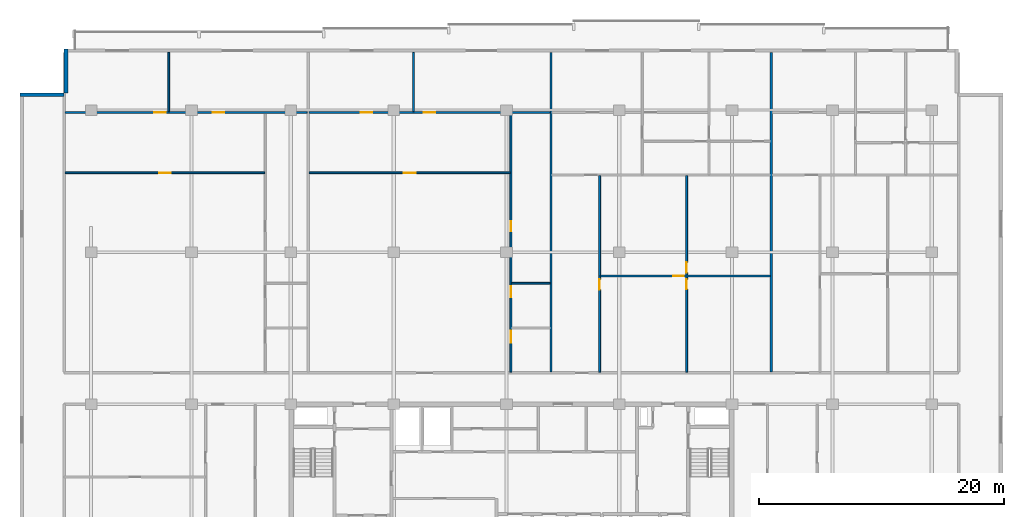
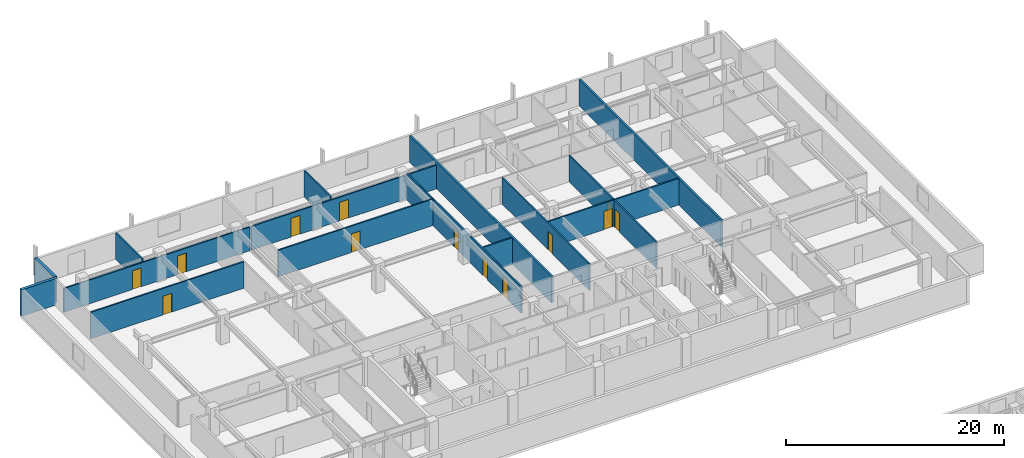
# One storey, part 13 of 21: 15 walls, 13 doors, 13 openings.
"""IFC4 building model written with IfcOpenShell, lengths in metres."""

from ifc_helpers import new_model, si_unit, direction, frame, frame_2d, origin, place, context, subcontext, project, spatial, rectangle, extrude, material, layer, layer_set, type_object, element, fill, save


model = new_model("IFC4")

# Units and contexts
model_context = context("Model", 3, precision=1e-05, world=origin(), true_north=direction((0.0, 1.0)))
body_context = subcontext(model_context, "Body", "Model", "MODEL_VIEW")
ifc_project = project(units=[si_unit("LENGTHUNIT", "METRE"), si_unit("AREAUNIT", "SQUARE_METRE"), si_unit("VOLUMEUNIT", "CUBIC_METRE"), si_unit("PLANEANGLEUNIT", "RADIAN"), si_unit("MASSUNIT", "GRAM", prefix="KILO")], contexts=[model_context])

# Site, building, storey
site_placement = place(None, origin())
site = spatial("IfcSite", under=ifc_project, at=site_placement, CompositionType="ELEMENT")
building_placement = place(site_placement, origin())
building = spatial("IfcBuilding", under=site, at=building_placement, Name="Korimba Cascade Residences", CompositionType="ELEMENT")
storey_placement = place(building_placement, frame((0.0, 0.0, 123.050048828125)))
storey = spatial("IfcBuildingStorey", under=building, at=storey_placement, Name="L35", CompositionType="ELEMENT", Elevation=123.050048828125)

# Walls
ifc_material_1 = material(Name="Precast concrete C40/50", Category="concrete")
ifc_layer_1 = layer(ifc_material_1, 0.300048828125)
ifc_layer_set_1 = layer_set([ifc_layer_1], Name="Precast concrete C40/50")
wall_type_1 = type_object("IfcWallType", Name="EW-STONE-300", PredefinedType="STANDARD", material=ifc_layer_set_1)
wall_1_placement = place(storey_placement, frame((57.75, 96.199951171875, 0.0), z_axis=(0.0, 0.0, 1.0), x_axis=(0.0, -1.0, 0.0)))
element("IfcWall", 1, at=wall_1_placement, inside=storey, type_object=wall_type_1, Name="L35 T1 Perimeter Stone Wall E07", PredefinedType="STANDARD", context=body_context, shape_type="SweptSolid", body=[
    extrude(rectangle(XDim=3.599853515625, YDim=0.300048828125, at=frame_2d((1.7998046875, 0.0))), origin(), (0.0, 0.0, 1.0), 2.969970703125),
])
wall_2_placement = place(storey_placement, frame((57.60009765625, 92.449951171875, 0.0), z_axis=(0.0, 0.0, 1.0), x_axis=(-1.0, 0.0, 0.0)))
element("IfcWall", 2, at=wall_2_placement, inside=storey, type_object=wall_type_1, Name="L35 T1 Perimeter Stone Wall E08", PredefinedType="STANDARD", context=body_context, shape_type="SweptSolid", body=[
    extrude(rectangle(XDim=3.60009765625, YDim=0.300048828125, at=frame_2d((1.800048828125, 0.0))), origin(), (0.0, 0.0, 1.0), 2.969970703125),
])
ifc_layer_2 = layer(ifc_material_1, 0.199951171875)
ifc_layer_set_2 = layer_set([ifc_layer_2], Name="Precast concrete C40/50")
wall_type_2 = type_object("IfcWallType", Name="WAL-IT-200", PredefinedType="PARTITIONING", material=ifc_layer_set_2)
for number, where, z_axis, x_axis, name in (
    (3, (97.33154296875, 69.830078125, 0.0), (0.0, 0.0, 1.0), (0.0, 1.0, 0.0), "L35 Partition Wall WAL-L35-T1-DEM-2"),
    (4, (115.321044921875, 69.830078125, 0.0), (0.0, 0.0, 1.0), (0.0, 1.0, 0.0), "L35 Partition Wall WAL-L35-T1-DEM-3"),
):
    element("IfcWall", number, at=place(storey_placement, frame(where, z_axis=z_axis, x_axis=x_axis)), inside=storey, type_object=wall_type_2, Name=name, PredefinedType="PARTITIONING", context=body_context, shape_type="SweptSolid", body=[
        extrude(rectangle(XDim=26.06982421875, YDim=0.199951171875, at=frame_2d((13.034912109375, 0.0))), origin(), (0.0, 0.0, 1.0), 2.969970703125),
    ])

# Wall, opening, door
ifc_material_2 = material(Name="Insulated Acoustic Stud Partition", Category="gypsum")
ifc_layer_3 = layer(ifc_material_2, 0.14990234375)
ifc_layer_set_3 = layer_set([ifc_layer_3], Name="Insulated Acoustic Stud Partition")
wall_type_3 = type_object("IfcWallType", Name="WAL-PART-150", PredefinedType="PARTITIONING", material=ifc_layer_set_3)
wall_3_placement = place(storey_placement, frame((57.679931640625, 86.080078125, 0.0), z_axis=(0.0, 0.0, 1.0), x_axis=(1.0, 0.0, 0.0)))
wall_3 = element("IfcWall", 5, at=wall_3_placement, inside=storey, type_object=wall_type_3, Name="L35 Partition Wall WAL-L35-T1-U01-CARH", PredefinedType="PARTITIONING", context=body_context, shape_type="SweptSolid", body=[
    extrude(rectangle(XDim=16.29052734375, YDim=0.14990234375, at=frame_2d((8.145263671875, 0.0))), origin(), (0.0, 0.0, 1.0), 2.969970703125),
])
opening_1_placement = place(wall_3_placement, frame((7.67529296875, 0.0, 0.0)))
opening_1 = element("IfcOpeningElement", 6, at=opening_1_placement, cuts=wall_3, Name="Opening D-IN0", PredefinedType="OPENING", context=body_context, shape_type="SweptSolid", body=[
    extrude(rectangle(XDim=0.93994140625, YDim=2.10009765625, at=frame_2d((0.469970703125, 1.050048828125))), frame((0.0, 0.0849609375, 0.0), z_axis=(0.0, -1.0, 0.0), x_axis=(1.0, 0.0, 0.0)), (0.0, 0.0, 1.0), 0.169921875),
])
ifc_material_3 = material(Name="Acoustic Timber Living Archway Door", Category="wood")
door_type_1 = type_object("IfcDoorType", Name="DR-INT-950", OperationType="NOTDEFINED", PredefinedType="DOOR", material=ifc_material_3)
door_1_placement = place(opening_1_placement, origin())
door_1 = element("IfcDoor", 7, at=door_1_placement, inside=storey, type_object=door_type_1, Name="L35-T1-U01 Wellness Clinic Foyer Door", OperationType="SINGLE_SWING_LEFT", OverallHeight=2.10009765625, OverallWidth=0.93994140625, PredefinedType="DOOR", context=body_context, shape_type="SweptSolid", body=[
    extrude(rectangle(XDim=0.93994140625, YDim=2.10009765625, at=frame_2d((0.469970703125, 1.050048828125))), frame((0.0, 0.02490234375, 0.0), z_axis=(0.0, -1.0, 0.0), x_axis=(1.0, 0.0, 0.0)), (0.0, 0.0, 1.0), 0.050048828125),
])
fill(opening_1, door_1)

# Wall
wall_4_placement = place(storey_placement, frame((66.13525390625, 91.080078125, 0.0), z_axis=(0.0, 0.0, 1.0), x_axis=(0.0, 1.0, 0.0)))
element("IfcWall", 8, at=wall_4_placement, inside=storey, type_object=wall_type_3, Name="L35 Partition Wall WAL-L35-T1-U01-OUTV", PredefinedType="PARTITIONING", context=body_context, shape_type="SweptSolid", body=[
    extrude(rectangle(XDim=4.81982421875, YDim=0.14990234375, at=frame_2d((2.409912109375, 0.0))), origin(), (0.0, 0.0, 1.0), 2.969970703125),
])

# Wall, openings, doors
wall_5_placement = place(storey_placement, frame((57.679931640625, 91.0, 0.0), z_axis=(0.0, 0.0, 1.0), x_axis=(1.0, 0.0, 0.0)))
wall_5 = element("IfcWall", 9, at=wall_5_placement, inside=storey, type_object=wall_type_3, Name="L35 Partition Wall WAL-L35-T1-U01-HZ", PredefinedType="PARTITIONING", context=body_context, shape_type="SweptSolid", body=[
    extrude(rectangle(XDim=19.75048828125, YDim=0.14990234375, at=frame_2d((9.875244140625, 0.0))), origin(), (0.0, 0.0, 1.0), 2.663330078125),
])
opening_2_placement = place(wall_5_placement, frame((7.26513671875, 0.0, 0.0)))
opening_2 = element("IfcOpeningElement", 10, at=opening_2_placement, cuts=wall_5, Name="Opening D-IN0", PredefinedType="OPENING", context=body_context, shape_type="SweptSolid", body=[
    extrude(rectangle(XDim=0.93994140625, YDim=2.10009765625, at=frame_2d((0.469970703125, 1.050048828125))), frame((0.0, 0.0849609375, 0.0), z_axis=(0.0, -1.0, 0.0), x_axis=(1.0, 0.0, 0.0)), (0.0, 0.0, 1.0), 0.169921875),
])
opening_3_placement = place(wall_5_placement, frame((12.051513671875, 0.0, 0.0)))
opening_3 = element("IfcOpeningElement", 11, at=opening_3_placement, cuts=wall_5, Name="Opening D-IN0", PredefinedType="OPENING", context=body_context, shape_type="SweptSolid", body=[
    extrude(rectangle(XDim=0.93994140625, YDim=2.10009765625, at=frame_2d((0.469970703125, 1.050048828125))), frame((0.0, 0.0849609375, 0.0), z_axis=(0.0, -1.0, 0.0), x_axis=(1.0, 0.0, 0.0)), (0.0, 0.0, 1.0), 0.169921875),
])
door_2_placement = place(opening_2_placement, origin())
door_2 = element("IfcDoor", 12, at=door_2_placement, inside=storey, type_object=door_type_1, Name="L35-T1-U01 Hydrotherapy Wellness Clinic Door", OperationType="SINGLE_SWING_LEFT", OverallHeight=2.10009765625, OverallWidth=0.93994140625, PredefinedType="DOOR", context=body_context, shape_type="SweptSolid", body=[
    extrude(rectangle(XDim=0.93994140625, YDim=2.10009765625, at=frame_2d((0.469970703125, 1.050048828125))), frame((0.0, 0.02490234375, 0.0), z_axis=(0.0, -1.0, 0.0), x_axis=(1.0, 0.0, 0.0)), (0.0, 0.0, 1.0), 0.050048828125),
])
fill(opening_2, door_2)
door_3_placement = place(opening_3_placement, origin())
door_3 = element("IfcDoor", 13, at=door_3_placement, inside=storey, type_object=door_type_1, Name="L35-T1-U01 Physiotherapy Treatment Room Door", OperationType="SINGLE_SWING_RIGHT", OverallHeight=2.10009765625, OverallWidth=0.93994140625, PredefinedType="DOOR", context=body_context, shape_type="SweptSolid", body=[
    extrude(rectangle(XDim=0.93994140625, YDim=2.10009765625, at=frame_2d((0.469970703125, 1.050048828125))), frame((0.0, 0.02490234375, 0.0), z_axis=(0.0, -1.0, 0.0), x_axis=(1.0, 0.0, 0.0)), (0.0, 0.0, 1.0), 0.050048828125),
])
fill(opening_3, door_3)

# Wall, opening, door
wall_6_placement = place(storey_placement, frame((77.590576171875, 86.080078125, 0.0), z_axis=(0.0, 0.0, 1.0), x_axis=(1.0, 0.0, 0.0)))
wall_6 = element("IfcWall", 14, at=wall_6_placement, inside=storey, type_object=wall_type_3, Name="L35 Partition Wall WAL-L35-T1-U02-CARH", PredefinedType="PARTITIONING", context=body_context, shape_type="SweptSolid", body=[
    extrude(rectangle(XDim=16.430908203125, YDim=0.14990234375, at=frame_2d((8.21533203125, 0.0))), origin(), (0.0, 0.0, 1.0), 2.969970703125),
])
opening_4_placement = place(wall_6_placement, frame((7.74560546875, 0.0, 0.0)))
opening_4 = element("IfcOpeningElement", 15, at=opening_4_placement, cuts=wall_6, Name="Opening D-IN0", PredefinedType="OPENING", context=body_context, shape_type="SweptSolid", body=[
    extrude(rectangle(XDim=0.93994140625, YDim=2.10009765625, at=frame_2d((0.469970703125, 1.050048828125))), frame((0.0, 0.0849609375, 0.0), z_axis=(0.0, -1.0, 0.0), x_axis=(1.0, 0.0, 0.0)), (0.0, 0.0, 1.0), 0.169921875),
])
door_4_placement = place(opening_4_placement, origin())
door_4 = element("IfcDoor", 16, at=door_4_placement, inside=storey, type_object=door_type_1, Name="L35-T1-U02 Wellness Clinic Foyer Door", OperationType="SINGLE_SWING_LEFT", OverallHeight=2.10009765625, OverallWidth=0.93994140625, PredefinedType="DOOR", context=body_context, shape_type="SweptSolid", body=[
    extrude(rectangle(XDim=0.93994140625, YDim=2.10009765625, at=frame_2d((0.469970703125, 1.050048828125))), frame((0.0, 0.02490234375, 0.0), z_axis=(0.0, -1.0, 0.0), x_axis=(1.0, 0.0, 0.0)), (0.0, 0.0, 1.0), 0.050048828125),
])
fill(opening_4, door_4)

# Wall
wall_7_placement = place(storey_placement, frame((94.12158203125, 77.070068359375, 0.0), z_axis=(0.0, 0.0, 1.0), x_axis=(1.0, 0.0, 0.0)))
element("IfcWall", 17, at=wall_7_placement, inside=storey, type_object=wall_type_3, Name="L35 Partition Wall WAL-L35-T1-U02-WCH2", PredefinedType="PARTITIONING", context=body_context, shape_type="SweptSolid", body=[
    extrude(rectangle(XDim=3.130126953125, YDim=0.14990234375, at=frame_2d((1.56494140625, 0.0))), origin(), (0.0, 0.0, 1.0), 2.969970703125),
])

# Wall, openings, doors
wall_8_placement = place(storey_placement, frame((94.0615234375, 69.81005859375, 0.0), z_axis=(0.0, 0.0, 1.0), x_axis=(0.0, 1.0, 0.0)))
wall_8 = element("IfcWall", 18, at=wall_8_placement, inside=storey, type_object=wall_type_3, Name="L35 Partition Wall WAL-L35-T1-U02-WCV", PredefinedType="PARTITIONING", context=body_context, shape_type="SweptSolid", body=[
    extrude(rectangle(XDim=21.1298828125, YDim=0.14990234375, at=frame_2d((10.56494140625, 0.0))), origin(), (0.0, 0.0, 1.0), 2.969970703125),
])
opening_5_placement = place(wall_8_placement, frame((2.406005859375, 0.0, 0.0)))
opening_5 = element("IfcOpeningElement", 19, at=opening_5_placement, cuts=wall_8, Name="Opening D-AC1", PredefinedType="OPENING", context=body_context, shape_type="SweptSolid", body=[
    extrude(rectangle(XDim=0.9599609375, YDim=2.10009765625, at=frame_2d((0.47998046875, 1.050048828125))), frame((0.0, 0.0849609375, 0.0), z_axis=(0.0, -1.0, 0.0), x_axis=(1.0, 0.0, 0.0)), (0.0, 0.0, 1.0), 0.169921875),
])
opening_6_placement = place(wall_8_placement, frame((6.132568359375, 0.0, 0.0)))
opening_6 = element("IfcOpeningElement", 20, at=opening_6_placement, cuts=wall_8, Name="Opening D-IN2", PredefinedType="OPENING", context=body_context, shape_type="SweptSolid", body=[
    extrude(rectangle(XDim=0.8798828125, YDim=2.06005859375, at=frame_2d((0.43994140625, 1.030029296875))), frame((0.0, 0.0849609375, 0.0), z_axis=(0.0, -1.0, 0.0), x_axis=(1.0, 0.0, 0.0)), (0.0, 0.0, 1.0), 0.169921875),
])
opening_7_placement = place(wall_8_placement, frame((11.482421875, 0.0, 0.0)))
opening_7 = element("IfcOpeningElement", 21, at=opening_7_placement, cuts=wall_8, Name="Opening D-BT1", PredefinedType="OPENING", context=body_context, shape_type="SweptSolid", body=[
    extrude(rectangle(XDim=0.840087890625, YDim=2.0400390625, at=frame_2d((0.419921875, 1.02001953125))), frame((0.0, 0.0849609375, 0.0), z_axis=(0.0, -1.0, 0.0), x_axis=(1.0, 0.0, 0.0)), (0.0, 0.0, 1.0), 0.169921875),
])
ifc_material_4 = material(Name="Accessible Acoustic Timber WC Door", Category="wood")
door_type_2 = type_object("IfcDoorType", Name="DR-ACC-950", OperationType="NOTDEFINED", PredefinedType="DOOR", material=ifc_material_4)
door_5_placement = place(opening_5_placement, origin())
door_5 = element("IfcDoor", 22, at=door_5_placement, inside=storey, type_object=door_type_2, Name="L35-T1-U02 Accessible WC Door", OperationType="SINGLE_SWING_RIGHT", OverallHeight=2.10009765625, OverallWidth=0.9599609375, PredefinedType="DOOR", context=body_context, shape_type="SweptSolid", body=[
    extrude(rectangle(XDim=0.9599609375, YDim=2.10009765625, at=frame_2d((0.47998046875, 1.050048828125))), frame((0.0, 0.02490234375, 0.0), z_axis=(0.0, -1.0, 0.0), x_axis=(1.0, 0.0, 0.0)), (0.0, 0.0, 1.0), 0.050048828125),
])
fill(opening_5, door_5)
ifc_material_5 = material(Name="Moisture-Resistant Bathroom Timber Door", Category="wood")
door_type_3 = type_object("IfcDoorType", Name="DR-INT-850", OperationType="NOTDEFINED", PredefinedType="DOOR", material=ifc_material_5)
door_6_placement = place(opening_7_placement, origin())
door_6 = element("IfcDoor", 23, at=door_6_placement, inside=storey, type_object=door_type_3, Name="L35-T1-U02 Suite Store Door", OperationType="SINGLE_SWING_RIGHT", OverallHeight=2.0400390625, OverallWidth=0.840087890625, PredefinedType="DOOR", context=body_context, shape_type="SweptSolid", body=[
    extrude(rectangle(XDim=0.840087890625, YDim=2.0400390625, at=frame_2d((0.419921875, 1.02001953125))), frame((0.0, 0.02490234375, 0.0), z_axis=(0.0, -1.0, 0.0), x_axis=(1.0, 0.0, 0.0)), (0.0, 0.0, 1.0), 0.050048828125),
])
fill(opening_7, door_6)
ifc_material_6 = material(Name="Acoustic Timber Bedroom Door", Category="wood")
door_type_4 = type_object("IfcDoorType", Name="DR-INT-880", OperationType="NOTDEFINED", PredefinedType="DOOR", material=ifc_material_6)
door_7_placement = place(opening_6_placement, origin())
door_7 = element("IfcDoor", 24, at=door_7_placement, inside=storey, type_object=door_type_4, Name="L35-T1-U02 Restroom WC Door", OperationType="SINGLE_SWING_LEFT", OverallHeight=2.06005859375, OverallWidth=0.8798828125, PredefinedType="DOOR", context=body_context, shape_type="SweptSolid", body=[
    extrude(rectangle(XDim=0.8798828125, YDim=2.06005859375, at=frame_2d((0.43994140625, 1.030029296875))), frame((0.0, 0.02490234375, 0.0), z_axis=(0.0, -1.0, 0.0), x_axis=(1.0, 0.0, 0.0)), (0.0, 0.0, 1.0), 0.050048828125),
])
fill(opening_6, door_7)

# Wall
wall_9_placement = place(storey_placement, frame((86.115966796875, 91.080078125, 0.0), z_axis=(0.0, 0.0, 1.0), x_axis=(0.0, 1.0, 0.0)))
element("IfcWall", 25, at=wall_9_placement, inside=storey, type_object=wall_type_3, Name="L35 Partition Wall WAL-L35-T1-U02-OUTV", PredefinedType="PARTITIONING", context=body_context, shape_type="SweptSolid", body=[
    extrude(rectangle(XDim=4.81982421875, YDim=0.14990234375, at=frame_2d((2.409912109375, 0.0))), origin(), (0.0, 0.0, 1.0), 2.969970703125),
])

# Wall, openings, doors
wall_10_placement = place(storey_placement, frame((77.590576171875, 91.0, 0.0), z_axis=(0.0, 0.0, 1.0), x_axis=(1.0, 0.0, 0.0)))
wall_10 = element("IfcWall", 26, at=wall_10_placement, inside=storey, type_object=wall_type_3, Name="L35 Partition Wall WAL-L35-T1-U02-HZ", PredefinedType="PARTITIONING", context=body_context, shape_type="SweptSolid", body=[
    extrude(rectangle(XDim=19.6611328125, YDim=0.14990234375, at=frame_2d((9.83056640625, 0.0))), origin(), (0.0, 0.0, 1.0), 2.663330078125),
])
opening_8_placement = place(wall_10_placement, frame((4.218017578125, 0.0, 0.0)))
opening_8 = element("IfcOpeningElement", 27, at=opening_8_placement, cuts=wall_10, Name="Opening D-IN0", PredefinedType="OPENING", context=body_context, shape_type="SweptSolid", body=[
    extrude(rectangle(XDim=0.93994140625, YDim=2.10009765625, at=frame_2d((0.469970703125, 1.050048828125))), frame((0.0, 0.0849609375, 0.0), z_axis=(0.0, -1.0, 0.0), x_axis=(1.0, 0.0, 0.0)), (0.0, 0.0, 1.0), 0.169921875),
])
opening_9_placement = place(wall_10_placement, frame((9.360595703125, 0.0, 0.0)))
opening_9 = element("IfcOpeningElement", 28, at=opening_9_placement, cuts=wall_10, Name="Opening D-IN0", PredefinedType="OPENING", context=body_context, shape_type="SweptSolid", body=[
    extrude(rectangle(XDim=0.93994140625, YDim=2.10009765625, at=frame_2d((0.469970703125, 1.050048828125))), frame((0.0, 0.0849609375, 0.0), z_axis=(0.0, -1.0, 0.0), x_axis=(1.0, 0.0, 0.0)), (0.0, 0.0, 1.0), 0.169921875),
])
door_8_placement = place(opening_8_placement, origin())
door_8 = element("IfcDoor", 29, at=door_8_placement, inside=storey, type_object=door_type_1, Name="L35-T1-U02 Hydrotherapy Wellness Clinic Door", OperationType="SINGLE_SWING_LEFT", OverallHeight=2.10009765625, OverallWidth=0.93994140625, PredefinedType="DOOR", context=body_context, shape_type="SweptSolid", body=[
    extrude(rectangle(XDim=0.93994140625, YDim=2.10009765625, at=frame_2d((0.469970703125, 1.050048828125))), frame((0.0, 0.02490234375, 0.0), z_axis=(0.0, -1.0, 0.0), x_axis=(1.0, 0.0, 0.0)), (0.0, 0.0, 1.0), 0.050048828125),
])
fill(opening_8, door_8)
door_9_placement = place(opening_9_placement, origin())
door_9 = element("IfcDoor", 30, at=door_9_placement, inside=storey, type_object=door_type_1, Name="L35-T1-U02 Physiotherapy Treatment Room Door", OperationType="SINGLE_SWING_RIGHT", OverallHeight=2.10009765625, OverallWidth=0.93994140625, PredefinedType="DOOR", context=body_context, shape_type="SweptSolid", body=[
    extrude(rectangle(XDim=0.93994140625, YDim=2.10009765625, at=frame_2d((0.469970703125, 1.050048828125))), frame((0.0, 0.02490234375, 0.0), z_axis=(0.0, -1.0, 0.0), x_axis=(1.0, 0.0, 0.0)), (0.0, 0.0, 1.0), 0.050048828125),
])
fill(opening_9, door_9)

wall_11_placement = place(storey_placement, frame((108.4013671875, 69.81005859375, 0.0), z_axis=(0.0, 0.0, 1.0), x_axis=(0.0, 1.0, 0.0)))
wall_11 = element("IfcWall", 31, at=wall_11_placement, inside=storey, type_object=wall_type_3, Name="L35 Partition Wall WAL-L35-T1-U03-FMV", PredefinedType="PARTITIONING", context=body_context, shape_type="SweptSolid", body=[
    extrude(rectangle(XDim=16.050048828125, YDim=0.14990234375, at=frame_2d((8.02490234375, 0.0))), origin(), (0.0, 0.0, 1.0), 2.969970703125),
])
opening_10_placement = place(wall_11_placement, frame((6.7548828125, 0.0, 0.0)))
opening_10 = element("IfcOpeningElement", 32, at=opening_10_placement, cuts=wall_11, Name="Opening D-BT1", PredefinedType="OPENING", context=body_context, shape_type="SweptSolid", body=[
    extrude(rectangle(XDim=0.840087890625, YDim=2.0400390625, at=frame_2d((0.419921875, 1.02001953125))), frame((0.0, 0.0849609375, 0.0), z_axis=(0.0, -1.0, 0.0), x_axis=(1.0, 0.0, 0.0)), (0.0, 0.0, 1.0), 0.169921875),
])
opening_11_placement = place(wall_11_placement, frame((8.094970703125, 0.0, 0.0)))
opening_11 = element("IfcOpeningElement", 33, at=opening_11_placement, cuts=wall_11, Name="Opening D-IN2", PredefinedType="OPENING", context=body_context, shape_type="SweptSolid", body=[
    extrude(rectangle(XDim=0.8798828125, YDim=2.06005859375, at=frame_2d((0.43994140625, 1.030029296875))), frame((0.0, 0.0849609375, 0.0), z_axis=(0.0, -1.0, 0.0), x_axis=(1.0, 0.0, 0.0)), (0.0, 0.0, 1.0), 0.169921875),
])
door_10_placement = place(opening_10_placement, origin())
door_10 = element("IfcDoor", 34, at=door_10_placement, inside=storey, type_object=door_type_3, Name="L35-T1-U03 Wardrobe Door", OperationType="SINGLE_SWING_LEFT", OverallHeight=2.0400390625, OverallWidth=0.840087890625, PredefinedType="DOOR", context=body_context, shape_type="SweptSolid", body=[
    extrude(rectangle(XDim=0.840087890625, YDim=2.0400390625, at=frame_2d((0.419921875, 1.02001953125))), frame((0.0, 0.02490234375, 0.0), z_axis=(0.0, -1.0, 0.0), x_axis=(1.0, 0.0, 0.0)), (0.0, 0.0, 1.0), 0.050048828125),
])
fill(opening_10, door_10)
door_11_placement = place(opening_11_placement, origin())
door_11 = element("IfcDoor", 35, at=door_11_placement, inside=storey, type_object=door_type_4, Name="L35-T1-U03 Music Lounge Door", OperationType="SINGLE_SWING_RIGHT", OverallHeight=2.06005859375, OverallWidth=0.8798828125, PredefinedType="DOOR", context=body_context, shape_type="SweptSolid", body=[
    extrude(rectangle(XDim=0.8798828125, YDim=2.06005859375, at=frame_2d((0.43994140625, 1.030029296875))), frame((0.0, 0.02490234375, 0.0), z_axis=(0.0, -1.0, 0.0), x_axis=(1.0, 0.0, 0.0)), (0.0, 0.0, 1.0), 0.050048828125),
])
fill(opening_11, door_11)

# Wall, opening, door
wall_12_placement = place(storey_placement, frame((101.361572265625, 77.655029296875, 0.0), z_axis=(0.0, 0.0, 1.0), x_axis=(1.0, 0.0, 0.0)))
wall_12 = element("IfcWall", 36, at=wall_12_placement, inside=storey, type_object=wall_type_3, Name="L35 Partition Wall WAL-L35-T1-U03-FMH", PredefinedType="PARTITIONING", context=body_context, shape_type="SweptSolid", body=[
    extrude(rectangle(XDim=13.879638671875, YDim=0.14990234375, at=frame_2d((6.93994140625, 0.0))), origin(), (0.0, 0.0, 1.0), 2.969970703125),
])
opening_12_placement = place(wall_12_placement, frame((5.939697265625, 0.0, 0.0)))
opening_12 = element("IfcOpeningElement", 37, at=opening_12_placement, cuts=wall_12, Name="Opening D-IN2", PredefinedType="OPENING", context=body_context, shape_type="SweptSolid", body=[
    extrude(rectangle(XDim=0.8798828125, YDim=2.06005859375, at=frame_2d((0.43994140625, 1.030029296875))), frame((0.0, 0.0849609375, 0.0), z_axis=(0.0, -1.0, 0.0), x_axis=(1.0, 0.0, 0.0)), (0.0, 0.0, 1.0), 0.169921875),
])
door_12_placement = place(opening_12_placement, origin())
door_12 = element("IfcDoor", 38, at=door_12_placement, inside=storey, type_object=door_type_4, Name="L35-T1-U03 Library Salon Door", OperationType="SINGLE_SWING_LEFT", OverallHeight=2.06005859375, OverallWidth=0.8798828125, PredefinedType="DOOR", context=body_context, shape_type="SweptSolid", body=[
    extrude(rectangle(XDim=0.8798828125, YDim=2.06005859375, at=frame_2d((0.43994140625, 1.030029296875))), frame((0.0, 0.02490234375, 0.0), z_axis=(0.0, -1.0, 0.0), x_axis=(1.0, 0.0, 0.0)), (0.0, 0.0, 1.0), 0.050048828125),
])
fill(opening_12, door_12)

wall_13_placement = place(storey_placement, frame((101.301513671875, 69.81005859375, 0.0), z_axis=(0.0, 0.0, 1.0), x_axis=(0.0, 1.0, 0.0)))
wall_13 = element("IfcWall", 39, at=wall_13_placement, inside=storey, type_object=wall_type_3, Name="L35 Partition Wall WAL-L35-T1-U03-FV", PredefinedType="PARTITIONING", context=body_context, shape_type="SweptSolid", body=[
    extrude(rectangle(XDim=16.050048828125, YDim=0.14990234375, at=frame_2d((8.02490234375, 0.0))), origin(), (0.0, 0.0, 1.0), 2.969970703125),
])
opening_13_placement = place(wall_13_placement, frame((6.715087890625, 0.0, 0.0)))
opening_13 = element("IfcOpeningElement", 40, at=opening_13_placement, cuts=wall_13, Name="Opening D-IN2", PredefinedType="OPENING", context=body_context, shape_type="SweptSolid", body=[
    extrude(rectangle(XDim=0.8798828125, YDim=2.06005859375, at=frame_2d((0.43994140625, 1.030029296875))), frame((0.0, 0.0849609375, 0.0), z_axis=(0.0, -1.0, 0.0), x_axis=(1.0, 0.0, 0.0)), (0.0, 0.0, 1.0), 0.169921875),
])
door_13_placement = place(opening_13_placement, origin())
door_13 = element("IfcDoor", 41, at=door_13_placement, inside=storey, type_object=door_type_4, Name="L35-T1-U03 Media Lounge Door", OperationType="SINGLE_SWING_RIGHT", OverallHeight=2.06005859375, OverallWidth=0.8798828125, PredefinedType="DOOR", context=body_context, shape_type="SweptSolid", body=[
    extrude(rectangle(XDim=0.8798828125, YDim=2.06005859375, at=frame_2d((0.43994140625, 1.030029296875))), frame((0.0, 0.02490234375, 0.0), z_axis=(0.0, -1.0, 0.0), x_axis=(1.0, 0.0, 0.0)), (0.0, 0.0, 1.0), 0.050048828125),
])
fill(opening_13, door_13)

save(model, "model.ifc")
